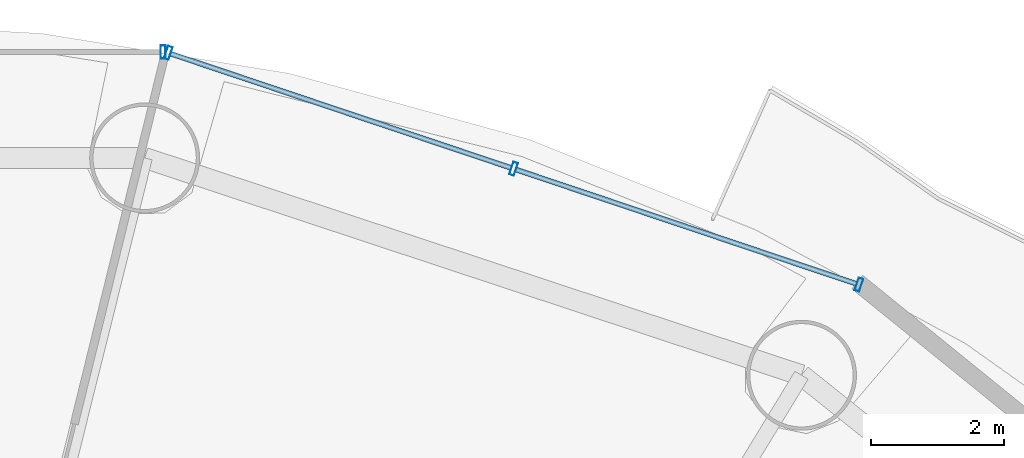
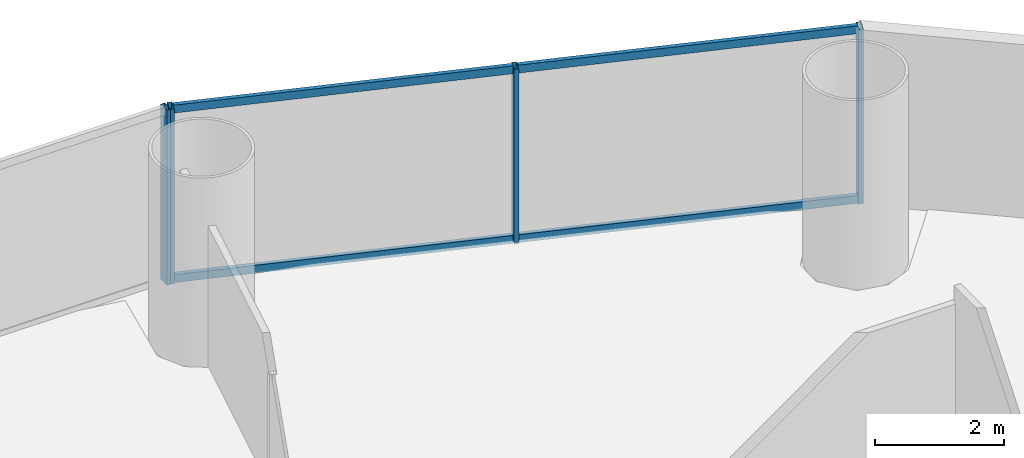
# One storey, part 20 of 30: 8 members, 2 elements without a shape of their own.
"""IFC4 building model written with IfcOpenShell, lengths in metres."""

import ifcopenshell
import ifcopenshell.guid

model = None  # the IFC model being written
_history = None  # IfcOwnerHistory: only IFC2X3 demands one
_inside = {}  # id of a spatial element -> (the spatial element, [elements in it])
_under = {}  # id of a project, library or spatial element -> (it, [spatial elements below it])
_declared = {}  # id of a project -> (the project, [libraries it declares])
_typed = {}  # id of a type object -> (the type object, [elements of that type])
_made_of = {}  # id of a material, layer set ... -> (it, [elements and type objects made of it])


def new_model(schema):
    """Start an empty IFC model of exactly this schema.

    Asked for "IFC4X3", IfcOpenShell would pick the latest addendum, in which some entities
    have other attributes; the version numbers below select the first issue.
    IFC2X3 requires an IfcOwnerHistory on every rooted entity: one is made here for all.
    """
    global model, _history
    if schema == "IFC4X3":
        model = ifcopenshell.file(schema_version=(4, 3, 0, 0))
    else:
        model = ifcopenshell.file(schema=schema)
    _inside.clear()
    _under.clear()
    _declared.clear()
    _typed.clear()
    _made_of.clear()
    _history = None
    if model.schema == "IFC2X3":
        org = make("IfcOrganization", Name="unknown")
        user = make(
            "IfcPersonAndOrganization",
            ThePerson=make("IfcPerson", FamilyName="unknown"),
            TheOrganization=org,
        )
        app = make(
            "IfcApplication",
            ApplicationDeveloper=org,
            Version="unknown",
            ApplicationFullName="unknown",
            ApplicationIdentifier="unknown",
        )
        _history = make(
            "IfcOwnerHistory",
            OwningUser=user,
            OwningApplication=app,
            ChangeAction="ADDED",
            CreationDate=0,
        )
    return model


def make(cls, **values):
    """One entity of the class cls with the attributes given. An attribute that is None is left unset."""
    return model.create_entity(
        cls, **{name: value for name, value in values.items() if value is not None}
    )


def rooted(cls, **values):
    """An entity with a GlobalId (a new one), such as an element, a storey or a relation."""
    return make(cls, GlobalId=ifcopenshell.guid.new(), OwnerHistory=_history, **values)


def si_unit(unit_type, name, prefix=None):
    """IfcSIUnit, for example si_unit("LENGTHUNIT", "METRE", prefix="MILLI")."""
    return make("IfcSIUnit", UnitType=unit_type, Prefix=prefix, Name=name)


def assignment(units):
    """IfcUnitAssignment: the units of a project."""
    return None if units is None else make("IfcUnitAssignment", Units=units)


def point(xyz):
    """IfcCartesianPoint."""
    return None if xyz is None else make("IfcCartesianPoint", Coordinates=xyz)


def direction(xyz):
    """IfcDirection."""
    return None if xyz is None else make("IfcDirection", DirectionRatios=xyz)


def frame(location, z_axis=None, x_axis=None):
    """IfcAxis2Placement3D, a coordinate frame: its origin and axes. An axis left out is left unset."""
    return make(
        "IfcAxis2Placement3D",
        Location=point(location),
        Axis=direction(z_axis),
        RefDirection=direction(x_axis),
    )


def frame_2d(location, x_axis=None):
    """IfcAxis2Placement2D, a coordinate frame in the plane: its origin and x axis."""
    return make(
        "IfcAxis2Placement2D", Location=point(location), RefDirection=direction(x_axis)
    )


def origin():
    """The frame at (0, 0, 0) with its axes left unset."""
    return frame((0.0, 0.0, 0.0))


def origin_2d():
    """The frame at (0, 0) in the plane with its x axis left unset."""
    return frame_2d((0.0, 0.0))


def place(relative_to, where):
    """IfcLocalPlacement: puts the frame where relative to a parent placement (None: the world)."""
    return make(
        "IfcLocalPlacement", PlacementRelTo=relative_to, RelativePlacement=where
    )


def context(
    kind, dimensions, precision=None, world=None, true_north=None, identifier=None
):
    """IfcGeometricRepresentationContext, for example the 3D "Model" context."""
    return make(
        "IfcGeometricRepresentationContext",
        ContextIdentifier=identifier,
        ContextType=kind,
        CoordinateSpaceDimension=dimensions,
        Precision=precision,
        WorldCoordinateSystem=world,
        TrueNorth=true_north,
    )


def subcontext(parent, identifier, kind, view, scale=None):
    """IfcGeometricRepresentationSubContext, for example "Body" below "Model"."""
    return make(
        "IfcGeometricRepresentationSubContext",
        ContextIdentifier=identifier,
        ContextType=kind,
        ParentContext=parent,
        TargetScale=scale,
        TargetView=view,
    )


def project(units=None, contexts=None):
    """IfcProject with its units and contexts."""
    return rooted(
        "IfcProject",
        Name="project",
        RepresentationContexts=contexts,
        UnitsInContext=assignment(units),
    )


def spatial(cls, under=None, at=None, **own):
    """A site, building, storey or space (cls), placed at a placement, below another one or the project."""
    s = rooted(cls, ObjectPlacement=at, **own)
    if under is not None:
        _under.setdefault(under.id(), (under, []))[1].append(s)
    return s


def profile(cls, at=None, kind="AREA", **sizes):
    """A parametric profile (cls). Its sizes go by their IFC names, for example OverallWidth=200.0."""
    return make(cls, ProfileType=kind, Position=at, **sizes)


def hollow_rectangle(**sizes):
    """IfcRectangleHollowProfileDef."""
    return profile("IfcRectangleHollowProfileDef", **sizes)


def extrude(swept, where, along, depth):
    """IfcExtrudedAreaSolid: the profile swept, set in the frame where, extruded along a direction by depth."""
    return make(
        "IfcExtrudedAreaSolid",
        SweptArea=swept,
        Position=where,
        ExtrudedDirection=direction(along),
        Depth=depth,
    )


def shape(context_of_items, identifier, shape_type, items):
    """IfcShapeRepresentation: the items that make up one representation, for example the "Body"."""
    return make(
        "IfcShapeRepresentation",
        ContextOfItems=context_of_items,
        RepresentationIdentifier=identifier,
        RepresentationType=shape_type,
        Items=items,
    )


def source(mapping_origin, context_of_items, identifier, shape_type, items):
    """IfcRepresentationMap: a shape defined once, which mapped items show again and again."""
    return make(
        "IfcRepresentationMap",
        MappingOrigin=mapping_origin,
        MappedRepresentation=shape(context_of_items, identifier, shape_type, items),
    )


def transform(
    local_origin,
    x_axis=None,
    y_axis=None,
    z_axis=None,
    scale=None,
    scale2=None,
    scale3=None,
    uniform=True,
):
    """IfcCartesianTransformationOperator3D, or its non-uniform kind. x_axis, y_axis, z_axis: its Axis1, 2, 3."""
    if uniform:
        return make(
            "IfcCartesianTransformationOperator3D",
            Axis1=direction(x_axis),
            Axis2=direction(y_axis),
            LocalOrigin=point(local_origin),
            Scale=scale,
            Axis3=direction(z_axis),
        )
    return make(
        "IfcCartesianTransformationOperator3DnonUniform",
        Axis1=direction(x_axis),
        Axis2=direction(y_axis),
        LocalOrigin=point(local_origin),
        Scale=scale,
        Axis3=direction(z_axis),
        Scale2=scale2,
        Scale3=scale3,
    )


def mapped(mapping_source, mapping_target):
    """IfcMappedItem: shows the shape of a source again, moved by a transform."""
    return make(
        "IfcMappedItem", MappingSource=mapping_source, MappingTarget=mapping_target
    )


def material(Name=None, Category=None):
    """IfcMaterial."""
    return make("IfcMaterial", Name=Name, Category=Category)


def material_profile(
    of_material, cross_section, Name=None, Category=None, Priority=None
):
    """IfcMaterialProfile: a cross section and its material."""
    return make(
        "IfcMaterialProfile",
        Name=Name,
        Material=of_material,
        Profile=cross_section,
        Priority=Priority,
        Category=Category,
    )


def profile_set(profiles, Name=None, composite=None):
    """IfcMaterialProfileSet."""
    return make(
        "IfcMaterialProfileSet",
        Name=Name,
        MaterialProfiles=profiles,
        CompositeProfile=composite,
    )


def made_of(thing, what):
    """Note that an element or type object is made of a material, layer set ...; save() writes the relation."""
    if what is not None:
        _made_of.setdefault(what.id(), (what, []))[1].append(thing)
    return thing


def type_object(cls, material=None, **own):
    """A type object (cls), such as IfcWallType, which elements share."""
    return made_of(rooted(cls, **own), material)


def element(
    cls,
    number,
    at=None,
    inside=None,
    cuts=None,
    type_object=None,
    material=None,
    context=None,
    identifier="Body",
    shape_type=None,
    held_by="IfcProductDefinitionShape",
    body=None,
    shapes=None,
    **own,
):
    """One element of the class cls, such as IfcWall. Its Tag is "e" and its number.

    at: its placement. inside: the storey or other place that contains it. cuts: it is an
    opening in that element (IfcRelVoidsElement). A single representation is given by context,
    identifier, shape_type and body (its items); several are given by shapes. held_by: the class
    of the entity that holds the representations. save() writes the other relations.
    """
    e = rooted(cls, Tag="e%d" % number, ObjectPlacement=at, **own)
    if body is not None:
        shapes = [shape(context, identifier, shape_type, body)]
    if shapes is not None:
        e.Representation = make(held_by, Representations=shapes)
    if inside is not None:
        _inside.setdefault(inside.id(), (inside, []))[1].append(e)
    if cuts is not None:
        rooted(
            "IfcRelVoidsElement", RelatingBuildingElement=cuts, RelatedOpeningElement=e
        )
    if type_object is not None:
        _typed.setdefault(type_object.id(), (type_object, []))[1].append(e)
    return made_of(e, material)


def aggregate(whole, parts):
    """IfcRelAggregates: a whole, such as a stair, and the parts it consists of."""
    return rooted("IfcRelAggregates", RelatingObject=whole, RelatedObjects=parts)


def save(model, path):
    """Write the relations noted so far, then the file.

    IfcRelAggregates (storeys below a building ...), IfcRelContainedInSpatialStructure (elements
    in a storey), IfcRelDefinesByType, IfcRelAssociatesMaterial and IfcRelDeclares: one each for
    every whole, place, type object, material and project.
    """
    for whole, parts in _under.values():
        aggregate(whole, parts)
    for where, things in _inside.values():
        rooted(
            "IfcRelContainedInSpatialStructure",
            RelatedElements=things,
            RelatingStructure=where,
        )
    for kind, things in _typed.values():
        rooted("IfcRelDefinesByType", RelatedObjects=things, RelatingType=kind)
    for what, things in _made_of.values():
        rooted("IfcRelAssociatesMaterial", RelatedObjects=things, RelatingMaterial=what)
    for by, libraries in _declared.values():
        rooted("IfcRelDeclares", RelatingContext=by, RelatedDefinitions=libraries)
    model.write(path)


model = new_model("IFC4")

# Units and contexts
model_context = context("Model", 3, precision=1e-05, world=origin(), true_north=direction((-0.2419218956, 0.970295726276)))
body_context = subcontext(model_context, "Body", "Model", "MODEL_VIEW")
ifc_project = project(units=[si_unit("LENGTHUNIT", "METRE"), si_unit("AREAUNIT", "SQUARE_METRE"), si_unit("VOLUMEUNIT", "CUBIC_METRE"), si_unit("PLANEANGLEUNIT", "RADIAN"), si_unit("MASSUNIT", "GRAM", prefix="KILO")], contexts=[model_context])

# Site, building, storey
site_placement = place(None, origin())
site = spatial("IfcSite", under=ifc_project, at=site_placement, CompositionType="ELEMENT")
building_placement = place(site_placement, origin())
building = spatial("IfcBuilding", under=site, at=building_placement, Name="Cobrevalo Terracotta Tower", CompositionType="ELEMENT")
storey_placement = place(building_placement, frame((0.0, 0.0, 60.0)))
storey = spatial("IfcBuildingStorey", under=building, at=storey_placement, Name="L15", CompositionType="ELEMENT", Elevation=60.0)

# Curtain wall, members
ifc_material = material(Name="Anodized aluminium", Category="aluminium")
curtain_wall_type = type_object("IfcCurtainWallType", Name="Lower-tower unitised acoustic low-E curtain wall CW-U1", PredefinedType="NOTDEFINED", material=ifc_material)
curtain_wall_1_placement = place(storey_placement, origin())
curtain_wall_1 = element("IfcCurtainWall", 1, at=curtain_wall_1_placement, inside=storey, type_object=curtain_wall_type, Name="L15 curtain wall CW-L15-S03", PredefinedType="NOTDEFINED")
ifc_material_profile_1 = material_profile(ifc_material, hollow_rectangle(XDim=0.074951171875, YDim=0.199951171875, WallThickness=0.0048828125, at=origin_2d()), Name="CWM 75x200")
ifc_profile_set_1 = profile_set([ifc_material_profile_1], Name="Anodized aluminium")
member_type_1 = type_object("IfcMemberType", Name="Lower/mid tower unitised mullion 75x200", PredefinedType="MULLION", material=ifc_profile_set_1)
shared_shape_1 = source(origin(), body_context, "Body", "SweptSolid", [
    extrude(hollow_rectangle(XDim=0.074951171875, YDim=0.199951171875, WallThickness=0.0048828125, at=origin_2d()), origin(), (0.0, 0.0, 1.0), 3.320068359375),
])
member_1_placement = place(storey_placement, frame((54.056884765625, 46.327392578125, 0.0), z_axis=(0.0, 0.0, 1.0), x_axis=(-0.948046393597, 0.318132103987, 0.0)))
member_1 = element("IfcMember", 2, at=member_1_placement, type_object=member_type_1, Name="CW-L15-S03 vertical mullion 01", PredefinedType="MULLION", context=body_context, shape_type="MappedRepresentation", body=[
    mapped(shared_shape_1, transform((0.0, 0.0, 0.0), scale=1.0)),
])
member_2_placement = place(storey_placement, frame((48.873291015625, 48.06689453125, 0.0), z_axis=(0.0, 0.0, 1.0), x_axis=(-0.948046393597, 0.318132103987, 0.0)))
member_2 = element("IfcMember", 3, at=member_2_placement, type_object=member_type_1, Name="CW-L15-S03 vertical mullion 02", PredefinedType="MULLION", context=body_context, shape_type="MappedRepresentation", body=[
    mapped(shared_shape_1, transform((0.0, 0.0, 0.0), scale=1.0)),
])
member_3_placement = place(storey_placement, frame((43.689697265625, 49.806396484375, 0.0), z_axis=(0.0, 0.0, 1.0), x_axis=(-0.948046393597, 0.318132103987, 0.0)))
member_3 = element("IfcMember", 4, at=member_3_placement, type_object=member_type_1, Name="CW-L15-S03 vertical mullion 03", PredefinedType="MULLION", context=body_context, shape_type="MappedRepresentation", body=[
    mapped(shared_shape_1, transform((0.0, 0.0, 0.0), scale=1.0)),
])

# Curtain wall, member
curtain_wall_2_placement = place(storey_placement, origin())
curtain_wall_2 = element("IfcCurtainWall", 5, at=curtain_wall_2_placement, inside=storey, type_object=curtain_wall_type, Name="L15 curtain wall CW-L15-S04", PredefinedType="NOTDEFINED")
member_4_placement = place(storey_placement, frame((43.61181640625, 49.819091796875, 0.0), z_axis=(0.0, 0.0, 1.0), x_axis=(-1.0, 0.0, 0.0)))
member_4 = element("IfcMember", 6, at=member_4_placement, type_object=member_type_1, Name="CW-L15-S04 vertical mullion 01", PredefinedType="MULLION", context=body_context, shape_type="MappedRepresentation", body=[
    mapped(shared_shape_1, transform((0.0, 0.0, 0.0), scale=1.0)),
])
aggregate(curtain_wall_2, [member_4])

# Member
ifc_material_profile_2 = material_profile(ifc_material, hollow_rectangle(XDim=0.074951171875, YDim=0.14990234375, WallThickness=0.00439453125, at=origin_2d()), Name="CWT 75x150")
ifc_profile_set_2 = profile_set([ifc_material_profile_2], Name="Anodized aluminium")
member_type_2 = type_object("IfcMemberType", Name="Tower unitised aluminium transom 75x150", PredefinedType="USERDEFINED", material=ifc_profile_set_2)
shared_shape_2 = source(origin(), body_context, "Body", "SweptSolid", [
    extrude(hollow_rectangle(XDim=0.074951171875, YDim=0.14990234375, WallThickness=0.00439453125, at=origin_2d()), origin(), (0.0, 0.0, 1.0), 5.387939453125),
])
member_5_placement = place(storey_placement, frame((54.01904296875, 46.340087890625, 0.050048828125), z_axis=(-0.94804244582, 0.318143868278, 0.0), x_axis=(-0.318143868278, -0.94804244582, 0.0)))
member_5 = element("IfcMember", 7, at=member_5_placement, type_object=member_type_2, Name="CW-L15-S03 transom B01-T1", ObjectType="TRANSOM", PredefinedType="USERDEFINED", context=body_context, shape_type="MappedRepresentation", body=[
    mapped(shared_shape_2, transform((0.0, 0.0, 0.0), scale=1.0)),
])

member_6_placement = place(storey_placement, frame((54.01904296875, 46.340087890625, 3.27001953125), z_axis=(-0.94804244582, 0.318143868278, 0.0), x_axis=(-0.318143868278, -0.94804244582, 0.0)))
member_6 = element("IfcMember", 8, at=member_6_placement, type_object=member_type_2, Name="CW-L15-S03 transom B01-T2", ObjectType="TRANSOM", PredefinedType="USERDEFINED", context=body_context, shape_type="MappedRepresentation", body=[
    mapped(shared_shape_2, transform((0.0, 0.0, 0.0), scale=1.0)),
])

member_7_placement = place(storey_placement, frame((48.83544921875, 48.07958984375, 0.050048828125), z_axis=(-0.94804244582, 0.318143868278, 0.0), x_axis=(-0.318143868278, -0.94804244582, 0.0)))
member_7 = element("IfcMember", 9, at=member_7_placement, type_object=member_type_2, Name="CW-L15-S03 transom B02-T1", ObjectType="TRANSOM", PredefinedType="USERDEFINED", context=body_context, shape_type="MappedRepresentation", body=[
    mapped(shared_shape_2, transform((0.0, 0.0, 0.0), scale=1.0)),
])

member_8_placement = place(storey_placement, frame((48.83544921875, 48.07958984375, 3.27001953125), z_axis=(-0.94804244582, 0.318143868278, 0.0), x_axis=(-0.318143868278, -0.94804244582, 0.0)))
member_8 = element("IfcMember", 10, at=member_8_placement, type_object=member_type_2, Name="CW-L15-S03 transom B02-T2", ObjectType="TRANSOM", PredefinedType="USERDEFINED", context=body_context, shape_type="MappedRepresentation", body=[
    mapped(shared_shape_2, transform((0.0, 0.0, 0.0), scale=1.0)),
])

aggregate(curtain_wall_1, [member_1, member_2, member_3, member_5, member_6, member_7, member_8])

save(model, "model.ifc")
